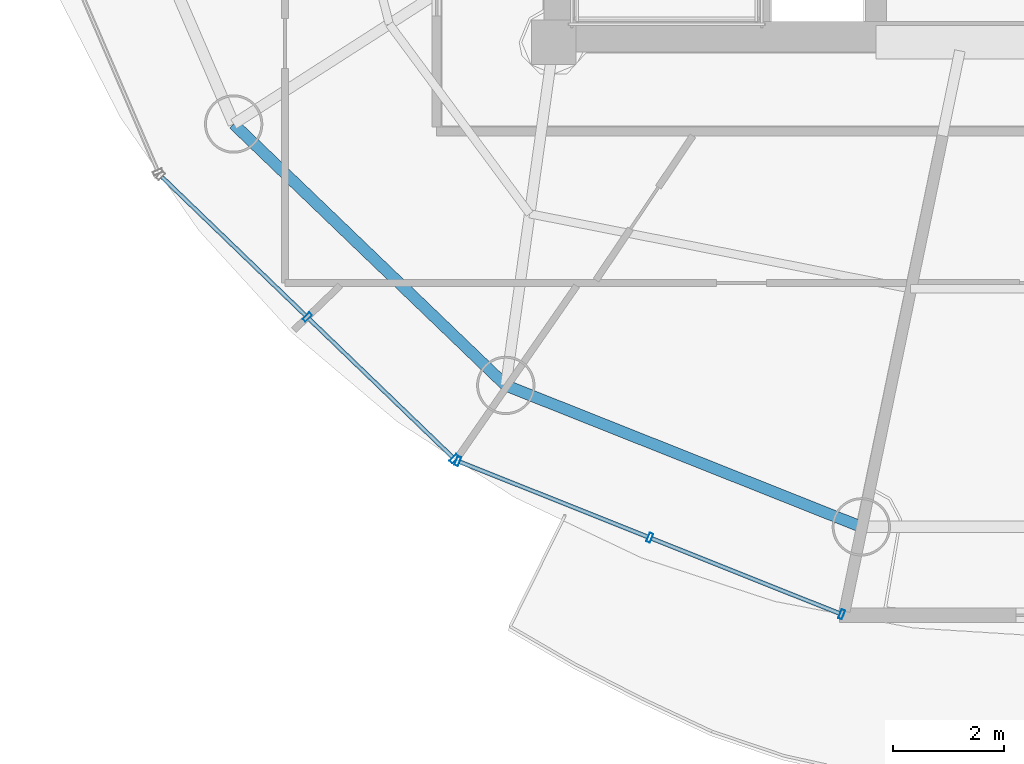
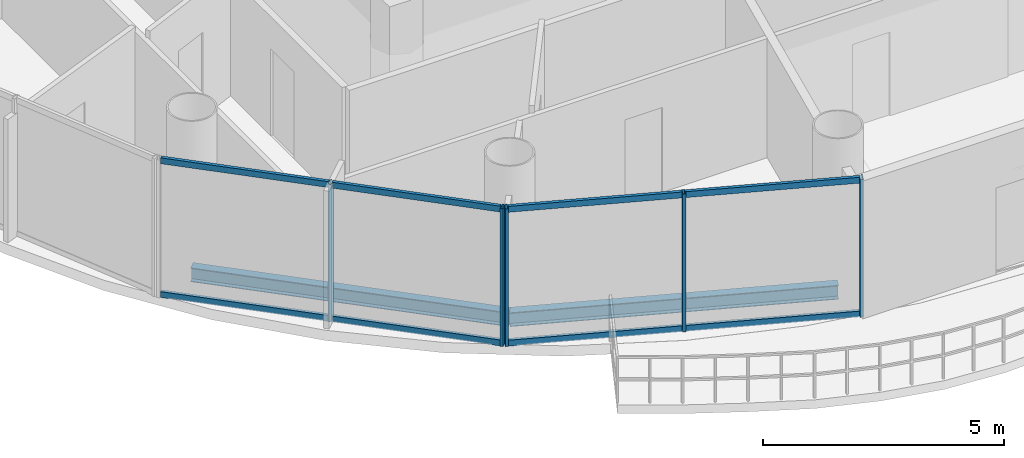
# One storey, part 2 of 23: 13 members, 2 beams, 2 elements without a shape of their own.
"""IFC4 building model written with IfcOpenShell, lengths in metres."""

import ifcopenshell
import ifcopenshell.guid

model = None  # the IFC model being written
_history = None  # IfcOwnerHistory: only IFC2X3 demands one
_inside = {}  # id of a spatial element -> (the spatial element, [elements in it])
_under = {}  # id of a project, library or spatial element -> (it, [spatial elements below it])
_declared = {}  # id of a project -> (the project, [libraries it declares])
_typed = {}  # id of a type object -> (the type object, [elements of that type])
_made_of = {}  # id of a material, layer set ... -> (it, [elements and type objects made of it])


def new_model(schema):
    """Start an empty IFC model of exactly this schema.

    Asked for "IFC4X3", IfcOpenShell would pick the latest addendum, in which some entities
    have other attributes; the version numbers below select the first issue.
    IFC2X3 requires an IfcOwnerHistory on every rooted entity: one is made here for all.
    """
    global model, _history
    if schema == "IFC4X3":
        model = ifcopenshell.file(schema_version=(4, 3, 0, 0))
    else:
        model = ifcopenshell.file(schema=schema)
    _inside.clear()
    _under.clear()
    _declared.clear()
    _typed.clear()
    _made_of.clear()
    _history = None
    if model.schema == "IFC2X3":
        org = make("IfcOrganization", Name="unknown")
        user = make(
            "IfcPersonAndOrganization",
            ThePerson=make("IfcPerson", FamilyName="unknown"),
            TheOrganization=org,
        )
        app = make(
            "IfcApplication",
            ApplicationDeveloper=org,
            Version="unknown",
            ApplicationFullName="unknown",
            ApplicationIdentifier="unknown",
        )
        _history = make(
            "IfcOwnerHistory",
            OwningUser=user,
            OwningApplication=app,
            ChangeAction="ADDED",
            CreationDate=0,
        )
    return model


def make(cls, **values):
    """One entity of the class cls with the attributes given. An attribute that is None is left unset."""
    return model.create_entity(
        cls, **{name: value for name, value in values.items() if value is not None}
    )


def rooted(cls, **values):
    """An entity with a GlobalId (a new one), such as an element, a storey or a relation."""
    return make(cls, GlobalId=ifcopenshell.guid.new(), OwnerHistory=_history, **values)


def si_unit(unit_type, name, prefix=None):
    """IfcSIUnit, for example si_unit("LENGTHUNIT", "METRE", prefix="MILLI")."""
    return make("IfcSIUnit", UnitType=unit_type, Prefix=prefix, Name=name)


def assignment(units):
    """IfcUnitAssignment: the units of a project."""
    return None if units is None else make("IfcUnitAssignment", Units=units)


def point(xyz):
    """IfcCartesianPoint."""
    return None if xyz is None else make("IfcCartesianPoint", Coordinates=xyz)


def direction(xyz):
    """IfcDirection."""
    return None if xyz is None else make("IfcDirection", DirectionRatios=xyz)


def frame(location, z_axis=None, x_axis=None):
    """IfcAxis2Placement3D, a coordinate frame: its origin and axes. An axis left out is left unset."""
    return make(
        "IfcAxis2Placement3D",
        Location=point(location),
        Axis=direction(z_axis),
        RefDirection=direction(x_axis),
    )


def frame_2d(location, x_axis=None):
    """IfcAxis2Placement2D, a coordinate frame in the plane: its origin and x axis."""
    return make(
        "IfcAxis2Placement2D", Location=point(location), RefDirection=direction(x_axis)
    )


def origin():
    """The frame at (0, 0, 0) with its axes left unset."""
    return frame((0.0, 0.0, 0.0))


def origin_2d():
    """The frame at (0, 0) in the plane with its x axis left unset."""
    return frame_2d((0.0, 0.0))


def place(relative_to, where):
    """IfcLocalPlacement: puts the frame where relative to a parent placement (None: the world)."""
    return make(
        "IfcLocalPlacement", PlacementRelTo=relative_to, RelativePlacement=where
    )


def context(
    kind, dimensions, precision=None, world=None, true_north=None, identifier=None
):
    """IfcGeometricRepresentationContext, for example the 3D "Model" context."""
    return make(
        "IfcGeometricRepresentationContext",
        ContextIdentifier=identifier,
        ContextType=kind,
        CoordinateSpaceDimension=dimensions,
        Precision=precision,
        WorldCoordinateSystem=world,
        TrueNorth=true_north,
    )


def subcontext(parent, identifier, kind, view, scale=None):
    """IfcGeometricRepresentationSubContext, for example "Body" below "Model"."""
    return make(
        "IfcGeometricRepresentationSubContext",
        ContextIdentifier=identifier,
        ContextType=kind,
        ParentContext=parent,
        TargetScale=scale,
        TargetView=view,
    )


def project(units=None, contexts=None):
    """IfcProject with its units and contexts."""
    return rooted(
        "IfcProject",
        Name="project",
        RepresentationContexts=contexts,
        UnitsInContext=assignment(units),
    )


def spatial(cls, under=None, at=None, **own):
    """A site, building, storey or space (cls), placed at a placement, below another one or the project."""
    s = rooted(cls, ObjectPlacement=at, **own)
    if under is not None:
        _under.setdefault(under.id(), (under, []))[1].append(s)
    return s


def profile(cls, at=None, kind="AREA", **sizes):
    """A parametric profile (cls). Its sizes go by their IFC names, for example OverallWidth=200.0."""
    return make(cls, ProfileType=kind, Position=at, **sizes)


def hollow_rectangle(**sizes):
    """IfcRectangleHollowProfileDef."""
    return profile("IfcRectangleHollowProfileDef", **sizes)


def i_section(**sizes):
    """IfcIShapeProfileDef."""
    return profile("IfcIShapeProfileDef", **sizes)


def extrude(swept, where, along, depth):
    """IfcExtrudedAreaSolid: the profile swept, set in the frame where, extruded along a direction by depth."""
    return make(
        "IfcExtrudedAreaSolid",
        SweptArea=swept,
        Position=where,
        ExtrudedDirection=direction(along),
        Depth=depth,
    )


def shape(context_of_items, identifier, shape_type, items):
    """IfcShapeRepresentation: the items that make up one representation, for example the "Body"."""
    return make(
        "IfcShapeRepresentation",
        ContextOfItems=context_of_items,
        RepresentationIdentifier=identifier,
        RepresentationType=shape_type,
        Items=items,
    )


def source(mapping_origin, context_of_items, identifier, shape_type, items):
    """IfcRepresentationMap: a shape defined once, which mapped items show again and again."""
    return make(
        "IfcRepresentationMap",
        MappingOrigin=mapping_origin,
        MappedRepresentation=shape(context_of_items, identifier, shape_type, items),
    )


def transform(
    local_origin,
    x_axis=None,
    y_axis=None,
    z_axis=None,
    scale=None,
    scale2=None,
    scale3=None,
    uniform=True,
):
    """IfcCartesianTransformationOperator3D, or its non-uniform kind. x_axis, y_axis, z_axis: its Axis1, 2, 3."""
    if uniform:
        return make(
            "IfcCartesianTransformationOperator3D",
            Axis1=direction(x_axis),
            Axis2=direction(y_axis),
            LocalOrigin=point(local_origin),
            Scale=scale,
            Axis3=direction(z_axis),
        )
    return make(
        "IfcCartesianTransformationOperator3DnonUniform",
        Axis1=direction(x_axis),
        Axis2=direction(y_axis),
        LocalOrigin=point(local_origin),
        Scale=scale,
        Axis3=direction(z_axis),
        Scale2=scale2,
        Scale3=scale3,
    )


def mapped(mapping_source, mapping_target):
    """IfcMappedItem: shows the shape of a source again, moved by a transform."""
    return make(
        "IfcMappedItem", MappingSource=mapping_source, MappingTarget=mapping_target
    )


def material(Name=None, Category=None):
    """IfcMaterial."""
    return make("IfcMaterial", Name=Name, Category=Category)


def material_profile(
    of_material, cross_section, Name=None, Category=None, Priority=None
):
    """IfcMaterialProfile: a cross section and its material."""
    return make(
        "IfcMaterialProfile",
        Name=Name,
        Material=of_material,
        Profile=cross_section,
        Priority=Priority,
        Category=Category,
    )


def profile_set(profiles, Name=None, composite=None):
    """IfcMaterialProfileSet."""
    return make(
        "IfcMaterialProfileSet",
        Name=Name,
        MaterialProfiles=profiles,
        CompositeProfile=composite,
    )


def made_of(thing, what):
    """Note that an element or type object is made of a material, layer set ...; save() writes the relation."""
    if what is not None:
        _made_of.setdefault(what.id(), (what, []))[1].append(thing)
    return thing


def type_object(cls, material=None, **own):
    """A type object (cls), such as IfcWallType, which elements share."""
    return made_of(rooted(cls, **own), material)


def element(
    cls,
    number,
    at=None,
    inside=None,
    cuts=None,
    type_object=None,
    material=None,
    context=None,
    identifier="Body",
    shape_type=None,
    held_by="IfcProductDefinitionShape",
    body=None,
    shapes=None,
    **own,
):
    """One element of the class cls, such as IfcWall. Its Tag is "e" and its number.

    at: its placement. inside: the storey or other place that contains it. cuts: it is an
    opening in that element (IfcRelVoidsElement). A single representation is given by context,
    identifier, shape_type and body (its items); several are given by shapes. held_by: the class
    of the entity that holds the representations. save() writes the other relations.
    """
    e = rooted(cls, Tag="e%d" % number, ObjectPlacement=at, **own)
    if body is not None:
        shapes = [shape(context, identifier, shape_type, body)]
    if shapes is not None:
        e.Representation = make(held_by, Representations=shapes)
    if inside is not None:
        _inside.setdefault(inside.id(), (inside, []))[1].append(e)
    if cuts is not None:
        rooted(
            "IfcRelVoidsElement", RelatingBuildingElement=cuts, RelatedOpeningElement=e
        )
    if type_object is not None:
        _typed.setdefault(type_object.id(), (type_object, []))[1].append(e)
    return made_of(e, material)


def aggregate(whole, parts):
    """IfcRelAggregates: a whole, such as a stair, and the parts it consists of."""
    return rooted("IfcRelAggregates", RelatingObject=whole, RelatedObjects=parts)


def save(model, path):
    """Write the relations noted so far, then the file.

    IfcRelAggregates (storeys below a building ...), IfcRelContainedInSpatialStructure (elements
    in a storey), IfcRelDefinesByType, IfcRelAssociatesMaterial and IfcRelDeclares: one each for
    every whole, place, type object, material and project.
    """
    for whole, parts in _under.values():
        aggregate(whole, parts)
    for where, things in _inside.values():
        rooted(
            "IfcRelContainedInSpatialStructure",
            RelatedElements=things,
            RelatingStructure=where,
        )
    for kind, things in _typed.values():
        rooted("IfcRelDefinesByType", RelatedObjects=things, RelatingType=kind)
    for what, things in _made_of.values():
        rooted("IfcRelAssociatesMaterial", RelatedObjects=things, RelatingMaterial=what)
    for by, libraries in _declared.values():
        rooted("IfcRelDeclares", RelatingContext=by, RelatedDefinitions=libraries)
    model.write(path)


model = new_model("IFC4")

# Units and contexts
model_context = context("Model", 3, precision=1e-05, world=origin(), true_north=direction((-0.2419218956, 0.970295726276)))
body_context = subcontext(model_context, "Body", "Model", "MODEL_VIEW")
ifc_project = project(units=[si_unit("LENGTHUNIT", "METRE"), si_unit("AREAUNIT", "SQUARE_METRE"), si_unit("VOLUMEUNIT", "CUBIC_METRE"), si_unit("PLANEANGLEUNIT", "RADIAN"), si_unit("MASSUNIT", "GRAM", prefix="KILO")], contexts=[model_context])

# Site, building, storey
site_placement = place(None, origin())
site = spatial("IfcSite", under=ifc_project, at=site_placement, CompositionType="ELEMENT")
building_placement = place(site_placement, origin())
building = spatial("IfcBuilding", under=site, at=building_placement, Name="Cobrevalo Terracotta Tower", CompositionType="ELEMENT")
storey_placement = place(building_placement, frame((0.0, 0.0, 266.949951171875)))
storey = spatial("IfcBuildingStorey", under=building, at=storey_placement, Name="L70", CompositionType="ELEMENT", Elevation=266.949951171875)

# Beams
ifc_material_1 = material(Name="Steel S355", Category="steel")
ifc_material_profile_1 = material_profile(ifc_material_1, i_section(OverallWidth=0.205078125, OverallDepth=0.35400390625, WebThickness=0.009521484375, FlangeThickness=0.016845703125, at=origin_2d()), Name="W 360x79")
ifc_profile_set_1 = profile_set([ifc_material_profile_1], Name="Steel S355")
beam_type = type_object("IfcBeamType", Name="Structural Spandrel W 360x79 (Steel S355)", PredefinedType="SPANDREL", material=ifc_profile_set_1)
beam_1_placement = place(storey_placement, frame((23.241455078125, 17.32763671875, -0.43701171875), z_axis=(0.721183246144, -0.692744343522, 0.0), x_axis=(0.692744343522, 0.721183246144, 0.0)))
element("IfcBeam", 1, at=beam_1_placement, inside=storey, type_object=beam_type, Name="L70 perimeter ring spandrel 10", PredefinedType="SPANDREL", context=body_context, shape_type="SweptSolid", body=[
    extrude(i_section(OverallWidth=0.205078125, OverallDepth=0.35400390625, WebThickness=0.009521484375, FlangeThickness=0.016845703125, at=origin_2d()), origin(), (0.0, 0.0, 1.0), 6.79052734375),
])
beam_2_placement = place(storey_placement, frame((28.138671875, 12.62353515625, -0.43701171875), z_axis=(0.929149986048, -0.369702993533, 0.0), x_axis=(0.369702993533, 0.929149986048, 0.0)))
element("IfcBeam", 2, at=beam_2_placement, inside=storey, type_object=beam_type, Name="L70 perimeter ring spandrel 11", PredefinedType="SPANDREL", context=body_context, shape_type="SweptSolid", body=[
    extrude(i_section(OverallWidth=0.205078125, OverallDepth=0.35400390625, WebThickness=0.009521484375, FlangeThickness=0.016845703125, at=origin_2d()), origin(), (0.0, 0.0, 1.0), 6.88623046875),
])

# Curtain wall, members
ifc_material_2 = material(Name="Anodized aluminium", Category="aluminium")
curtain_wall_type = type_object("IfcCurtainWallType", Name="Upper-tower triple-glazed penthouse curtain wall CW-U3", PredefinedType="NOTDEFINED", material=ifc_material_2)
curtain_wall_1_placement = place(storey_placement, origin())
curtain_wall_1 = element("IfcCurtainWall", 3, at=curtain_wall_1_placement, inside=storey, type_object=curtain_wall_type, Name="L70 curtain wall CW-L70-S10", PredefinedType="NOTDEFINED")
ifc_material_profile_2 = material_profile(ifc_material_2, hollow_rectangle(XDim=0.070068359375, YDim=0.169921875, WallThickness=0.00439453125, at=origin_2d()), Name="CWM 70x170")
ifc_profile_set_2 = profile_set([ifc_material_profile_2], Name="Anodized aluminium")
member_type_1 = type_object("IfcMemberType", Name="Upper tower unitised mullion 70x170", PredefinedType="MULLION", material=ifc_profile_set_2)
shared_shape_1 = source(origin(), body_context, "Body", "SweptSolid", [
    extrude(hollow_rectangle(XDim=0.070068359375, YDim=0.169921875, WallThickness=0.00439453125, at=origin_2d()), origin(), (0.0, 0.0, 1.0), 3.489990234375),
])
member_1_placement = place(storey_placement, frame((24.56640625, 13.85205078125, 0.0), z_axis=(0.0, 0.0, 1.0), x_axis=(0.71999418085, -0.69398010025, 0.0)))
member_1 = element("IfcMember", 4, at=member_1_placement, type_object=member_type_1, Name="CW-L70-S10 vertical mullion 02", PredefinedType="MULLION", context=body_context, shape_type="MappedRepresentation", body=[
    mapped(shared_shape_1, transform((0.0, 0.0, 0.0), scale=1.0)),
])
member_2_placement = place(storey_placement, frame((27.209716796875, 11.30419921875, 0.0), z_axis=(0.0, 0.0, 1.0), x_axis=(0.71999418085, -0.69398010025, 0.0)))
member_2 = element("IfcMember", 5, at=member_2_placement, type_object=member_type_1, Name="CW-L70-S10 vertical mullion 03", PredefinedType="MULLION", context=body_context, shape_type="MappedRepresentation", body=[
    mapped(shared_shape_1, transform((0.0, 0.0, 0.0), scale=1.0)),
])

curtain_wall_2_placement = place(storey_placement, origin())
curtain_wall_2 = element("IfcCurtainWall", 6, at=curtain_wall_2_placement, inside=storey, type_object=curtain_wall_type, Name="L70 curtain wall CW-L70-S11", PredefinedType="NOTDEFINED")
member_3_placement = place(storey_placement, frame((27.275634765625, 11.26171875, 0.0), z_axis=(0.0, 0.0, 1.0), x_axis=(0.928718980883, -0.370784377433, 0.0)))
member_3 = element("IfcMember", 7, at=member_3_placement, type_object=member_type_1, Name="CW-L70-S11 vertical mullion 01", PredefinedType="MULLION", context=body_context, shape_type="MappedRepresentation", body=[
    mapped(shared_shape_1, transform((0.0, 0.0, 0.0), scale=1.0)),
])
member_4_placement = place(storey_placement, frame((30.729736328125, 9.882568359375, 0.0), z_axis=(0.0, 0.0, 1.0), x_axis=(0.928718980883, -0.370784377433, 0.0)))
member_4 = element("IfcMember", 8, at=member_4_placement, type_object=member_type_1, Name="CW-L70-S11 vertical mullion 02", PredefinedType="MULLION", context=body_context, shape_type="MappedRepresentation", body=[
    mapped(shared_shape_1, transform((0.0, 0.0, 0.0), scale=1.0)),
])
member_5_placement = place(storey_placement, frame((34.183837890625, 8.503662109375, 0.0), z_axis=(0.0, 0.0, 1.0), x_axis=(0.928718980883, -0.370784377433, 0.0)))
member_5 = element("IfcMember", 9, at=member_5_placement, type_object=member_type_1, Name="CW-L70-S11 vertical mullion 03", PredefinedType="MULLION", context=body_context, shape_type="MappedRepresentation", body=[
    mapped(shared_shape_1, transform((0.0, 0.0, 0.0), scale=1.0)),
])

# Member
ifc_material_profile_3 = material_profile(ifc_material_2, hollow_rectangle(XDim=0.074951171875, YDim=0.14990234375, WallThickness=0.00439453125, at=origin_2d()), Name="CWT 75x150")
ifc_profile_set_3 = profile_set([ifc_material_profile_3], Name="Anodized aluminium")
member_type_2 = type_object("IfcMemberType", Name="Tower unitised aluminium transom 75x150", PredefinedType="USERDEFINED", material=ifc_profile_set_3)
shared_shape_2 = source(origin(), body_context, "Body", "SweptSolid", [
    extrude(hollow_rectangle(XDim=0.074951171875, YDim=0.14990234375, WallThickness=0.00439453125, at=origin_2d()), origin(), (0.0, 0.0, 1.0), 3.59130859375),
])
member_6_placement = place(storey_placement, frame((21.9521484375, 16.3720703125, 0.050048828125), z_axis=(0.719971660756, -0.694003463758, 0.0), x_axis=(0.694003463758, 0.719971660756, 0.0)))
member_6 = element("IfcMember", 10, at=member_6_placement, type_object=member_type_2, Name="CW-L70-S10 transom B01-T1", ObjectType="TRANSOM", PredefinedType="USERDEFINED", context=body_context, shape_type="MappedRepresentation", body=[
    mapped(shared_shape_2, transform((0.0, 0.0, 0.0), scale=1.0)),
])

member_7_placement = place(storey_placement, frame((21.9521484375, 16.3720703125, 3.43994140625), z_axis=(0.719971660756, -0.694003463758, 0.0), x_axis=(0.694003463758, 0.719971660756, 0.0)))
member_7 = element("IfcMember", 11, at=member_7_placement, type_object=member_type_2, Name="CW-L70-S10 transom B01-T2", ObjectType="TRANSOM", PredefinedType="USERDEFINED", context=body_context, shape_type="MappedRepresentation", body=[
    mapped(shared_shape_2, transform((0.0, 0.0, 0.0), scale=1.0)),
])

member_8_placement = place(storey_placement, frame((24.59521484375, 13.82421875, 0.050048828125), z_axis=(0.720005628362, -0.693968223427, 0.0), x_axis=(0.693968223427, 0.720005628362, 0.0)))
member_8 = element("IfcMember", 12, at=member_8_placement, type_object=member_type_2, Name="CW-L70-S10 transom B02-T1", ObjectType="TRANSOM", PredefinedType="USERDEFINED", context=body_context, shape_type="MappedRepresentation", body=[
    mapped(shared_shape_2, transform((0.0, 0.0, 0.0), scale=1.0)),
])

member_9_placement = place(storey_placement, frame((24.59521484375, 13.82421875, 3.43994140625), z_axis=(0.720005628362, -0.693968223427, 0.0), x_axis=(0.693968223427, 0.720005628362, 0.0)))
member_9 = element("IfcMember", 13, at=member_9_placement, type_object=member_type_2, Name="CW-L70-S10 transom B02-T2", ObjectType="TRANSOM", PredefinedType="USERDEFINED", context=body_context, shape_type="MappedRepresentation", body=[
    mapped(shared_shape_2, transform((0.0, 0.0, 0.0), scale=1.0)),
])

aggregate(curtain_wall_1, [member_1, member_2, member_6, member_7, member_8, member_9])

shared_shape_3 = source(origin(), body_context, "Body", "SweptSolid", [
    extrude(hollow_rectangle(XDim=0.074951171875, YDim=0.14990234375, WallThickness=0.00439453125, at=origin_2d()), origin(), (0.0, 0.0, 1.0), 3.63916015625),
])
member_10_placement = place(storey_placement, frame((27.31298828125, 11.246826171875, 0.050048828125), z_axis=(0.928712471544, -0.370800681227, 0.0), x_axis=(0.370800681227, 0.928712471544, 0.0)))
member_10 = element("IfcMember", 14, at=member_10_placement, type_object=member_type_2, Name="CW-L70-S11 transom B01-T1", ObjectType="TRANSOM", PredefinedType="USERDEFINED", context=body_context, shape_type="MappedRepresentation", body=[
    mapped(shared_shape_3, transform((0.0, 0.0, 0.0), scale=1.0)),
])

member_11_placement = place(storey_placement, frame((27.31298828125, 11.246826171875, 3.43994140625), z_axis=(0.928712471544, -0.370800681227, 0.0), x_axis=(0.370800681227, 0.928712471544, 0.0)))
member_11 = element("IfcMember", 15, at=member_11_placement, type_object=member_type_2, Name="CW-L70-S11 transom B01-T2", ObjectType="TRANSOM", PredefinedType="USERDEFINED", context=body_context, shape_type="MappedRepresentation", body=[
    mapped(shared_shape_3, transform((0.0, 0.0, 0.0), scale=1.0)),
])

member_12_placement = place(storey_placement, frame((30.76708984375, 9.86767578125, 0.050048828125), z_axis=(0.928712471544, -0.370800681227, 0.0), x_axis=(0.370800681227, 0.928712471544, 0.0)))
member_12 = element("IfcMember", 16, at=member_12_placement, type_object=member_type_2, Name="CW-L70-S11 transom B02-T1", ObjectType="TRANSOM", PredefinedType="USERDEFINED", context=body_context, shape_type="MappedRepresentation", body=[
    mapped(shared_shape_3, transform((0.0, 0.0, 0.0), scale=1.0)),
])

member_13_placement = place(storey_placement, frame((30.76708984375, 9.86767578125, 3.43994140625), z_axis=(0.928712471544, -0.370800681227, 0.0), x_axis=(0.370800681227, 0.928712471544, 0.0)))
member_13 = element("IfcMember", 17, at=member_13_placement, type_object=member_type_2, Name="CW-L70-S11 transom B02-T2", ObjectType="TRANSOM", PredefinedType="USERDEFINED", context=body_context, shape_type="MappedRepresentation", body=[
    mapped(shared_shape_3, transform((0.0, 0.0, 0.0), scale=1.0)),
])

aggregate(curtain_wall_2, [member_3, member_4, member_5, member_10, member_11, member_12, member_13])

save(model, "model.ifc")
